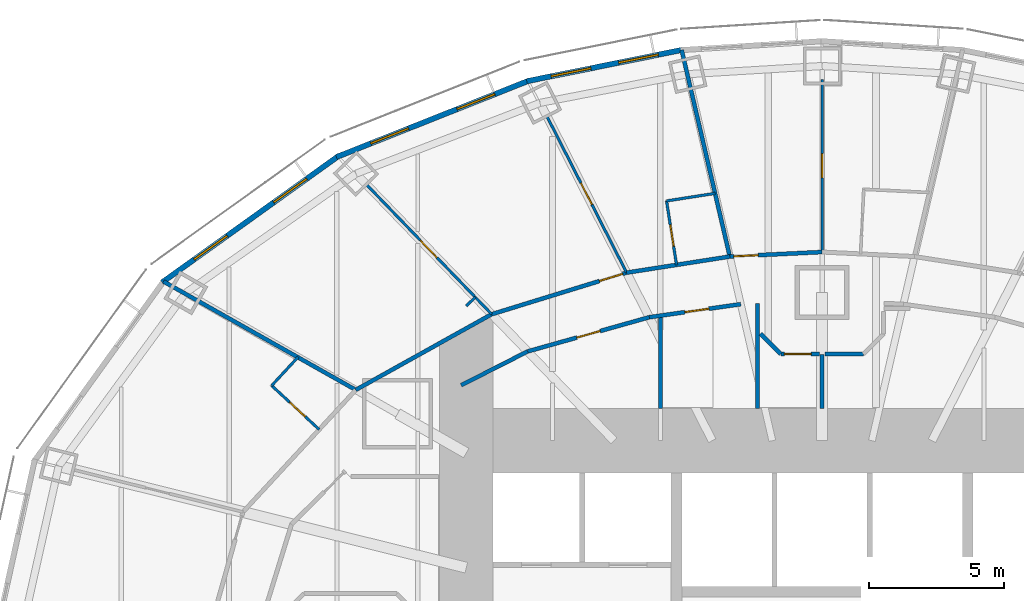
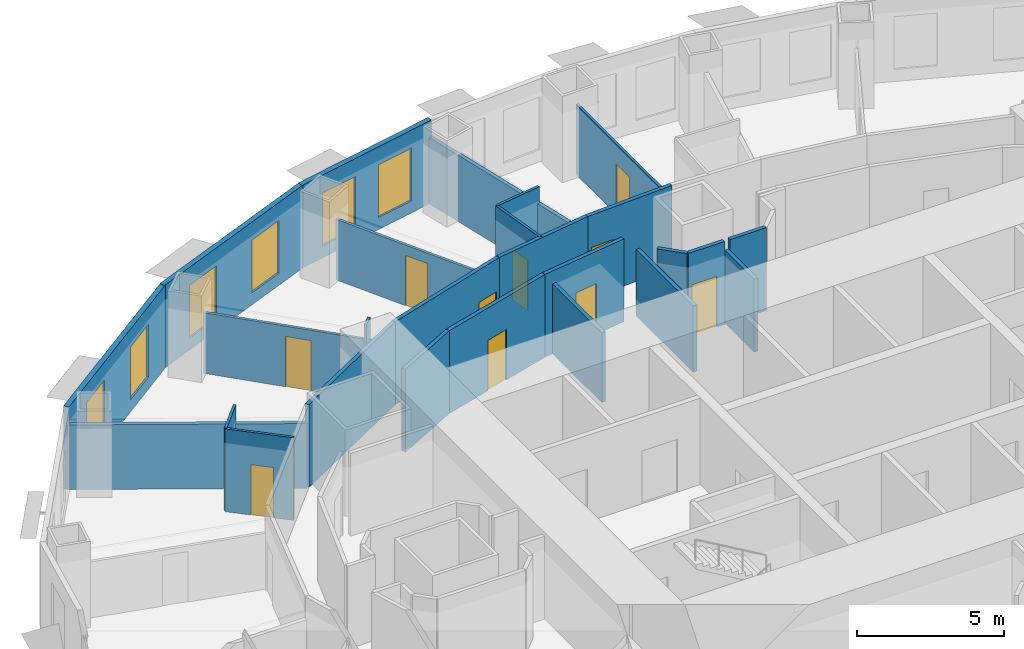
# One storey, part 9 of 15: 26 walls, 10 doors, 6 windows, 16 openings.
"""IFC4 building model written with IfcOpenShell, lengths in metres."""

from ifc_helpers import new_model, si_unit, direction, frame, frame_2d, origin, place, context, subcontext, project, spatial, rectangle, extrude, material, layer, layer_set, type_object, element, fill, save


model = new_model("IFC4")

# Units and contexts
model_context = context("Model", 3, precision=1e-05, world=origin(), true_north=direction((0.0, 1.0)))
body_context = subcontext(model_context, "Body", "Model", "MODEL_VIEW")
ifc_project = project(units=[si_unit("LENGTHUNIT", "METRE"), si_unit("AREAUNIT", "SQUARE_METRE"), si_unit("VOLUMEUNIT", "CUBIC_METRE"), si_unit("PLANEANGLEUNIT", "RADIAN"), si_unit("MASSUNIT", "GRAM", prefix="KILO")], contexts=[model_context])

# Site, building, storey
site_placement = place(None, origin())
site = spatial("IfcSite", under=ifc_project, at=site_placement, CompositionType="ELEMENT")
building_placement = place(site_placement, origin())
building = spatial("IfcBuilding", under=site, at=building_placement, Name="Lantaw Convention Tower", CompositionType="ELEMENT")
storey_placement = place(building_placement, frame((0.0, 0.0, 98.199951171875)))
storey = spatial("IfcBuildingStorey", under=building, at=storey_placement, Name="L23", CompositionType="ELEMENT", Elevation=98.199951171875)

# Walls
ifc_material_1 = material(Name="Gypsum board on steel studs", Category="steel")
ifc_layer_1 = layer(ifc_material_1, 0.14990234375)
ifc_layer_set_1 = layer_set([ifc_layer_1], Name="Back of house wall 150")
wall_type_1 = type_object("IfcWallType", Name="Back of house wall 150", PredefinedType="PARTITIONING", material=ifc_layer_set_1)
wall_1_placement = place(storey_placement, frame((0.0, 9.199951171875, 0.0), z_axis=(0.0, 0.0, 1.0), x_axis=(0.0, 1.0, 0.0)))
element("IfcWall", 1, at=wall_1_placement, inside=storey, type_object=wall_type_1, Name="Back of house wall 150", PredefinedType="PARTITIONING", context=body_context, shape_type="SweptSolid", body=[
    extrude(rectangle(XDim=2.005126953125, YDim=0.14990234375, at=frame_2d((1.00244140625, 0.0))), origin(), (0.0, 0.0, 1.0), 3.043701171875),
])
wall_2_placement = place(storey_placement, frame((1.5322265625, 11.215087890625, 0.0), z_axis=(0.0, 0.0, 1.0), x_axis=(-1.0, 0.0, 0.0)))
element("IfcWall", 2, at=wall_2_placement, inside=storey, type_object=wall_type_1, Name="Back of house wall 150", PredefinedType="PARTITIONING", context=body_context, shape_type="SweptSolid", body=[
    extrude(rectangle(XDim=1.428955078125, YDim=0.14990234375, at=frame_2d((0.71435546875, 0.0))), origin(), (0.0, 0.0, 1.0), 3.449951171875),
])
wall_3_placement = place(storey_placement, frame((-1.5322265625, 11.215087890625, 0.0), z_axis=(0.0, 0.0, 1.0), x_axis=(-0.707106781187, 0.707106781187, 0.0)))
element("IfcWall", 3, at=wall_3_placement, inside=storey, type_object=wall_type_1, Name="Back of house wall 150", PredefinedType="PARTITIONING", context=body_context, shape_type="SweptSolid", body=[
    extrude(rectangle(XDim=1.064453125, YDim=0.14990234375, at=frame_2d((0.5322265625, 0.0))), origin(), (0.0, 0.0, 1.0), 3.449951171875),
])

# Wall, opening, door
ifc_material_2 = material(Name="Moisture resistant gypsum board on steel studs", Category="steel")
ifc_layer_2 = layer(ifc_material_2, 0.10009765625)
ifc_layer_set_2 = layer_set([ifc_layer_2], Name="Bathroom wall 100")
wall_type_2 = type_object("IfcWallType", Name="Bathroom wall 100", PredefinedType="PARTITIONING", material=ifc_layer_set_2)
wall_4_placement = place(storey_placement, frame((-5.400390625, 14.524169921875, 0.0), z_axis=(0.0, 0.0, 1.0), x_axis=(-0.154426532979, 0.988004274238, 0.0)))
wall_4 = element("IfcWall", 4, at=wall_4_placement, inside=storey, type_object=wall_type_2, Name="Bathroom wall 100", PredefinedType="PARTITIONING", context=body_context, shape_type="SweptSolid", body=[
    extrude(rectangle(XDim=2.39990234375, YDim=0.10009765625, at=frame_2d((1.199951171875, 0.0))), origin(), (0.0, 0.0, 1.0), 3.449951171875),
])
opening_1_placement = place(wall_4_placement, frame((0.699951171875, 0.0, 0.0)))
opening_1 = element("IfcOpeningElement", 5, at=opening_1_placement, cuts=wall_4, Name="Opening L23.36", PredefinedType="OPENING", context=body_context, shape_type="SweptSolid", body=[
    extrude(rectangle(XDim=0.800048828125, YDim=2.10009765625, at=frame_2d((0.39990234375, 1.050048828125))), frame((0.0, 0.06005859375, 0.0), z_axis=(0.0, -1.0, 0.0), x_axis=(1.0, 0.0, 0.0)), (0.0, 0.0, 1.0), 0.1201171875),
])
ifc_material_3 = material(Name="Timber", Category="wood")
door_type_1 = type_object("IfcDoorType", Name="Bathroom door 800", OperationType="SINGLE_SWING_LEFT", PredefinedType="DOOR", material=ifc_material_3)
door_1_placement = place(opening_1_placement, origin())
door_1 = element("IfcDoor", 6, at=door_1_placement, inside=storey, type_object=door_type_1, Name="Bathroom door", OperationType="SINGLE_SWING_LEFT", OverallHeight=2.10009765625, OverallWidth=0.800048828125, PredefinedType="DOOR", context=body_context, shape_type="SweptSolid", body=[
    extrude(rectangle(XDim=0.800048828125, YDim=2.10009765625, at=frame_2d((0.39990234375, 1.050048828125))), frame((0.0, 0.02490234375, 0.0), z_axis=(0.0, -1.0, 0.0), x_axis=(1.0, 0.0, 0.0)), (0.0, 0.0, 1.0), 0.050048828125),
])
fill(opening_1, door_1)

# Wall
wall_5_placement = place(storey_placement, frame((-5.77099609375, 16.895263671875, 0.0), z_axis=(0.0, 0.0, 1.0), x_axis=(0.98801840204, 0.154336117711, 0.0)))
element("IfcWall", 7, at=wall_5_placement, inside=storey, type_object=wall_type_2, Name="Bathroom wall 100", PredefinedType="PARTITIONING", context=body_context, shape_type="SweptSolid", body=[
    extrude(rectangle(XDim=1.8271484375, YDim=0.10009765625, at=frame_2d((0.91357421875, 0.0))), origin(), (0.0, 0.0, 1.0), 3.449951171875),
])

# Wall, opening, door
wall_6_placement = place(storey_placement, frame((-18.65625, 8.416259765625, 0.0), z_axis=(0.0, 0.0, 1.0), x_axis=(-0.73447964986, 0.678630712495, 0.0)))
wall_6 = element("IfcWall", 8, at=wall_6_placement, inside=storey, type_object=wall_type_2, Name="Bathroom wall 100", PredefinedType="PARTITIONING", context=body_context, shape_type="SweptSolid", body=[
    extrude(rectangle(XDim=2.39990234375, YDim=0.10009765625, at=frame_2d((1.199951171875, 0.0))), origin(), (0.0, 0.0, 1.0), 3.449951171875),
])
opening_2_placement = place(wall_6_placement, frame((0.699951171875, 0.0, 0.0)))
opening_2 = element("IfcOpeningElement", 9, at=opening_2_placement, cuts=wall_6, Name="Opening L23.40", PredefinedType="OPENING", context=body_context, shape_type="SweptSolid", body=[
    extrude(rectangle(XDim=0.800048828125, YDim=2.10009765625, at=frame_2d((0.39990234375, 1.050048828125))), frame((0.0, 0.06005859375, 0.0), z_axis=(0.0, -1.0, 0.0), x_axis=(1.0, 0.0, 0.0)), (0.0, 0.0, 1.0), 0.1201171875),
])
door_2_placement = place(opening_2_placement, origin())
door_2 = element("IfcDoor", 10, at=door_2_placement, inside=storey, type_object=door_type_1, Name="Bathroom door", OperationType="SINGLE_SWING_LEFT", OverallHeight=2.10009765625, OverallWidth=0.800048828125, PredefinedType="DOOR", context=body_context, shape_type="SweptSolid", body=[
    extrude(rectangle(XDim=0.800048828125, YDim=2.10009765625, at=frame_2d((0.39990234375, 1.050048828125))), frame((0.0, 0.02490234375, 0.0), z_axis=(0.0, -1.0, 0.0), x_axis=(1.0, 0.0, 0.0)), (0.0, 0.0, 1.0), 0.050048828125),
])
fill(opening_2, door_2)

# Wall
wall_7_placement = place(storey_placement, frame((-20.4189453125, 10.044921875, 0.0), z_axis=(0.0, 0.0, 1.0), x_axis=(0.67861657312, 0.734492713842, 0.0)))
element("IfcWall", 11, at=wall_7_placement, inside=storey, type_object=wall_type_2, Name="Bathroom wall 100", PredefinedType="PARTITIONING", context=body_context, shape_type="SweptSolid", body=[
    extrude(rectangle(XDim=1.4462890625, YDim=0.10009765625, at=frame_2d((0.72314453125, 0.0))), origin(), (0.0, 0.0, 1.0), 3.449951171875),
])

# Wall, opening, door
ifc_material_4 = material(Name="Gypsum board on steel studs, fire rated", Category="steel")
ifc_layer_3 = layer(ifc_material_4, 0.14990234375)
ifc_layer_set_3 = layer_set([ifc_layer_3], Name="Corridor wall 150 EI 60")
wall_type_3 = type_object("IfcWallType", Name="Corridor wall 150 EI 60", PredefinedType="PARTITIONING", material=ifc_layer_set_3)
wall_8_placement = place(storey_placement, frame((0.0, 15.0, 0.0), z_axis=(0.0, 0.0, 1.0), x_axis=(-0.998809560203, -0.048779733975, 0.0)))
wall_8 = element("IfcWall", 12, at=wall_8_placement, inside=storey, type_object=wall_type_3, Name="Corridor wall 150", PredefinedType="PARTITIONING", context=body_context, shape_type="SweptSolid", body=[
    extrude(rectangle(XDim=3.428466796875, YDim=0.14990234375, at=frame_2d((1.71435546875, 0.0))), origin(), (0.0, 0.0, 1.0), 3.449951171875),
])
opening_3_placement = place(wall_8_placement, frame((2.37841796875, 0.0, 0.0)))
opening_3 = element("IfcOpeningElement", 13, at=opening_3_placement, cuts=wall_8, Name="Opening L23.35", PredefinedType="OPENING", context=body_context, shape_type="SweptSolid", body=[
    extrude(rectangle(XDim=0.89990234375, YDim=2.10009765625, at=frame_2d((0.449951171875, 1.050048828125))), frame((0.0, 0.0849609375, 0.0), z_axis=(0.0, -1.0, 0.0), x_axis=(1.0, 0.0, 0.0)), (0.0, 0.0, 1.0), 0.169921875),
])
ifc_material_5 = material(Name="Steel, fire rated", Category="steel")
door_type_2 = type_object("IfcDoorType", Name="Guest room entrance door FD30S", OperationType="SINGLE_SWING_LEFT", PredefinedType="DOOR", material=ifc_material_5)
door_3_placement = place(opening_3_placement, origin())
door_3 = element("IfcDoor", 14, at=door_3_placement, inside=storey, type_object=door_type_2, Name="Suite entrance door", OperationType="SINGLE_SWING_LEFT", OverallHeight=2.10009765625, OverallWidth=0.89990234375, PredefinedType="DOOR", context=body_context, shape_type="SweptSolid", body=[
    extrude(rectangle(XDim=0.89990234375, YDim=2.10009765625, at=frame_2d((0.449951171875, 1.050048828125))), frame((0.0, 0.02490234375, 0.0), z_axis=(0.0, -1.0, 0.0), x_axis=(1.0, 0.0, 0.0)), (0.0, 0.0, 1.0), 0.050048828125),
])
fill(opening_3, door_3)

# Wall
wall_9_placement = place(storey_placement, frame((-3.42431640625, 14.832763671875, 0.0), z_axis=(0.0, 0.0, 1.0), x_axis=(-0.988015036573, -0.154357660987, 0.0)))
element("IfcWall", 15, at=wall_9_placement, inside=storey, type_object=wall_type_3, Name="Corridor wall 150", PredefinedType="PARTITIONING", context=body_context, shape_type="SweptSolid", body=[
    extrude(rectangle(XDim=3.875, YDim=0.14990234375, at=frame_2d((1.9375, 0.0))), origin(), (0.0, 0.0, 1.0), 3.449951171875),
])

# Wall, opening, door
wall_10_placement = place(storey_placement, frame((-7.2529296875, 14.234619140625, 0.0), z_axis=(0.0, 0.0, 1.0), x_axis=(-0.955657956744, -0.294478980085, 0.0)))
wall_10 = element("IfcWall", 16, at=wall_10_placement, inside=storey, type_object=wall_type_3, Name="Corridor wall 150", PredefinedType="PARTITIONING", context=body_context, shape_type="SweptSolid", body=[
    extrude(rectangle(XDim=5.236328125, YDim=0.14990234375, at=frame_2d((2.6181640625, 0.0))), origin(), (0.0, 0.0, 1.0), 3.449951171875),
])
opening_4_placement = place(wall_10_placement, frame((0.14990234375, 0.0, 0.0)))
opening_4 = element("IfcOpeningElement", 17, at=opening_4_placement, cuts=wall_10, Name="Opening L23.39", PredefinedType="OPENING", context=body_context, shape_type="SweptSolid", body=[
    extrude(rectangle(XDim=0.89990234375, YDim=2.10009765625, at=frame_2d((0.449951171875, 1.050048828125))), frame((0.0, 0.0849609375, 0.0), z_axis=(0.0, -1.0, 0.0), x_axis=(1.0, 0.0, 0.0)), (0.0, 0.0, 1.0), 0.169921875),
])
door_4_placement = place(opening_4_placement, origin())
door_4 = element("IfcDoor", 18, at=door_4_placement, inside=storey, type_object=door_type_2, Name="Suite entrance door", OperationType="SINGLE_SWING_LEFT", OverallHeight=2.10009765625, OverallWidth=0.89990234375, PredefinedType="DOOR", context=body_context, shape_type="SweptSolid", body=[
    extrude(rectangle(XDim=0.89990234375, YDim=2.10009765625, at=frame_2d((0.449951171875, 1.050048828125))), frame((0.0, 0.02490234375, 0.0), z_axis=(0.0, -1.0, 0.0), x_axis=(1.0, 0.0, 0.0)), (0.0, 0.0, 1.0), 0.050048828125),
])
fill(opening_4, door_4)

# Wall
wall_11_placement = place(storey_placement, frame((-12.257080078125, 12.692626953125, 0.0), z_axis=(0.0, 0.0, 1.0), x_axis=(-0.873695910579, -0.486472461541, 0.0)))
element("IfcWall", 19, at=wall_11_placement, inside=storey, type_object=wall_type_3, Name="Corridor wall 150", PredefinedType="PARTITIONING", context=body_context, shape_type="SweptSolid", body=[
    extrude(rectangle(XDim=5.77099609375, YDim=0.14990234375, at=frame_2d((2.885498046875, 0.0))), origin(), (0.0, 0.0, 1.0), 3.449951171875),
])

# Wall, opening, door
wall_12_placement = place(storey_placement, frame((-3.016357421875, 13.065673828125, 0.0), z_axis=(0.0, 0.0, 1.0), x_axis=(-0.990002114939, -0.14105251652, 0.0)))
wall_12 = element("IfcWall", 20, at=wall_12_placement, inside=storey, type_object=wall_type_3, Name="Corridor wall 150", PredefinedType="PARTITIONING", context=body_context, shape_type="SweptSolid", body=[
    extrude(rectangle(XDim=3.4287109375, YDim=0.14990234375, at=frame_2d((1.71435546875, 0.0))), origin(), (0.0, 0.0, 1.0), 3.449951171875),
])
opening_5_placement = place(wall_12_placement, frame((1.194580078125, 0.0, 0.0)))
opening_5 = element("IfcOpeningElement", 21, at=opening_5_placement, cuts=wall_12, Name="Opening L23.19", PredefinedType="OPENING", context=body_context, shape_type="SweptSolid", body=[
    extrude(rectangle(XDim=0.89990234375, YDim=2.10009765625, at=frame_2d((0.449951171875, 1.050048828125))), frame((0.0, 0.0849609375, 0.0), z_axis=(0.0, -1.0, 0.0), x_axis=(1.0, 0.0, 0.0)), (0.0, 0.0, 1.0), 0.169921875),
])
door_type_3 = type_object("IfcDoorType", Name="Service door 900 FD30", OperationType="SINGLE_SWING_LEFT", PredefinedType="DOOR", material=ifc_material_5)
door_5_placement = place(opening_5_placement, origin())
door_5 = element("IfcDoor", 22, at=door_5_placement, inside=storey, type_object=door_type_3, Name="Housekeeping pantry door", OperationType="SINGLE_SWING_LEFT", OverallHeight=2.10009765625, OverallWidth=0.89990234375, PredefinedType="DOOR", context=body_context, shape_type="SweptSolid", body=[
    extrude(rectangle(XDim=0.89990234375, YDim=2.10009765625, at=frame_2d((0.449951171875, 1.050048828125))), frame((0.0, 0.02490234375, 0.0), z_axis=(0.0, -1.0, 0.0), x_axis=(1.0, 0.0, 0.0)), (0.0, 0.0, 1.0), 0.050048828125),
])
fill(opening_5, door_5)

wall_13_placement = place(storey_placement, frame((-6.410888671875, 12.58203125, 0.0), z_axis=(0.0, 0.0, 1.0), x_axis=(-0.962643729928, -0.270771211967, 0.0)))
wall_13 = element("IfcWall", 23, at=wall_13_placement, inside=storey, type_object=wall_type_3, Name="Corridor wall 150", PredefinedType="PARTITIONING", context=body_context, shape_type="SweptSolid", body=[
    extrude(rectangle(XDim=4.6884765625, YDim=0.14990234375, at=frame_2d((2.34423828125, 0.0))), origin(), (0.0, 0.0, 1.0), 3.449951171875),
])
opening_6_placement = place(wall_13_placement, frame((1.894287109375, 0.0, 0.0)))
opening_6 = element("IfcOpeningElement", 24, at=opening_6_placement, cuts=wall_13, Name="Opening L23.20", PredefinedType="OPENING", context=body_context, shape_type="SweptSolid", body=[
    extrude(rectangle(XDim=0.89990234375, YDim=2.10009765625, at=frame_2d((0.449951171875, 1.050048828125))), frame((0.0, 0.0849609375, 0.0), z_axis=(0.0, -1.0, 0.0), x_axis=(1.0, 0.0, 0.0)), (0.0, 0.0, 1.0), 0.169921875),
])
door_6_placement = place(opening_6_placement, origin())
door_6 = element("IfcDoor", 25, at=door_6_placement, inside=storey, type_object=door_type_3, Name="Housekeeping store door", OperationType="SINGLE_SWING_LEFT", OverallHeight=2.10009765625, OverallWidth=0.89990234375, PredefinedType="DOOR", context=body_context, shape_type="SweptSolid", body=[
    extrude(rectangle(XDim=0.89990234375, YDim=2.10009765625, at=frame_2d((0.449951171875, 1.050048828125))), frame((0.0, 0.02490234375, 0.0), z_axis=(0.0, -1.0, 0.0), x_axis=(1.0, 0.0, 0.0)), (0.0, 0.0, 1.0), 0.050048828125),
])
fill(opening_6, door_6)

# Wall
wall_14_placement = place(storey_placement, frame((-10.92431640625, 11.3125, 0.0), z_axis=(0.0, 0.0, 1.0), x_axis=(-0.891388152271, -0.453240732935, 0.0)))
element("IfcWall", 26, at=wall_14_placement, inside=storey, type_object=wall_type_3, Name="Corridor wall 150", PredefinedType="PARTITIONING", context=body_context, shape_type="SweptSolid", body=[
    extrude(rectangle(XDim=2.76611328125, YDim=0.14990234375, at=frame_2d((1.383056640625, 0.0))), origin(), (0.0, 0.0, 1.0), 3.449951171875),
])

# Wall, opening, door
wall_15_placement = place(storey_placement, frame((-0.103271484375, 11.215087890625, 0.0), z_axis=(0.0, 0.0, 1.0), x_axis=(-1.0, 0.0, 0.0)))
wall_15 = element("IfcWall", 27, at=wall_15_placement, inside=storey, type_object=wall_type_3, Name="Corridor wall 150", PredefinedType="PARTITIONING", context=body_context, shape_type="SweptSolid", body=[
    extrude(rectangle(XDim=1.428955078125, YDim=0.14990234375, at=frame_2d((0.71435546875, 0.0))), origin(), (0.0, 0.0, 1.0), 3.449951171875),
])
opening_7_placement = place(wall_15_placement, frame((0.300048828125, 0.0, 0.0)))
opening_7 = element("IfcOpeningElement", 28, at=opening_7_placement, cuts=wall_15, Name="Opening L23.18", PredefinedType="OPENING", context=body_context, shape_type="SweptSolid", body=[
    extrude(rectangle(XDim=1.0, YDim=2.10009765625, at=frame_2d((0.5, 1.050048828125))), frame((0.0, 0.0849609375, 0.0), z_axis=(0.0, -1.0, 0.0), x_axis=(1.0, 0.0, 0.0)), (0.0, 0.0, 1.0), 0.169921875),
])
door_type_4 = type_object("IfcDoorType", Name="Accessible WC door 1000 FD30", OperationType="SINGLE_SWING_LEFT", PredefinedType="DOOR", material=ifc_material_5)
door_7_placement = place(opening_7_placement, origin())
door_7 = element("IfcDoor", 29, at=door_7_placement, inside=storey, type_object=door_type_4, Name="Accessible WC door", OperationType="SINGLE_SWING_LEFT", OverallHeight=2.10009765625, OverallWidth=1.0, PredefinedType="DOOR", context=body_context, shape_type="SweptSolid", body=[
    extrude(rectangle(XDim=1.0, YDim=2.10009765625, at=frame_2d((0.5, 1.050048828125))), frame((0.0, 0.02490234375, 0.0), z_axis=(0.0, -1.0, 0.0), x_axis=(1.0, 0.0, 0.0)), (0.0, 0.0, 1.0), 0.050048828125),
])
fill(opening_7, door_7)

# Wall, openings, windows
ifc_material_6 = material(Name="Insulated aluminium panel on steel frame", Category="steel")
ifc_layer_4 = layer(ifc_material_6, 0.199951171875)
ifc_layer_set_4 = layer_set([ifc_layer_4], Name="External wall 200")
wall_type_4 = type_object("IfcWallType", Name="External wall 200", PredefinedType="SOLIDWALL", material=ifc_layer_set_4)
wall_16_placement = place(storey_placement, frame((-5.169677734375, 22.504150390625, 0.0), z_axis=(0.0, 0.0, 1.0), x_axis=(-0.980251657452, -0.197754110105, 0.0)))
wall_16 = element("IfcWall", 30, at=wall_16_placement, inside=storey, type_object=wall_type_4, Name="Facade panel wall", PredefinedType="SOLIDWALL", context=body_context, shape_type="SweptSolid", body=[
    extrude(rectangle(XDim=5.90380859375, YDim=0.199951171875, at=frame_2d((2.951904296875, 0.0))), origin(), (0.0, 0.0, 1.0), 3.449951171875),
])
opening_8_placement = place(wall_16_placement, frame((0.92578125, 0.0, 0.5)))
opening_8 = element("IfcOpeningElement", 31, at=opening_8_placement, cuts=wall_16, Name="Opening W2", PredefinedType="OPENING", context=body_context, shape_type="SweptSolid", body=[
    extrude(rectangle(XDim=1.5, YDim=2.199951171875, at=frame_2d((0.75, 1.10009765625))), frame((0.0, 0.10986328125, 0.0), z_axis=(0.0, -1.0, 0.0), x_axis=(1.0, 0.0, 0.0)), (0.0, 0.0, 1.0), 0.219970703125),
])
opening_9_placement = place(wall_16_placement, frame((3.477783203125, 0.0, 0.5)))
opening_9 = element("IfcOpeningElement", 32, at=opening_9_placement, cuts=wall_16, Name="Opening W2", PredefinedType="OPENING", context=body_context, shape_type="SweptSolid", body=[
    extrude(rectangle(XDim=1.5, YDim=2.199951171875, at=frame_2d((0.75, 1.10009765625))), frame((0.0, 0.10986328125, 0.0), z_axis=(0.0, -1.0, 0.0), x_axis=(1.0, 0.0, 0.0)), (0.0, 0.0, 1.0), 0.219970703125),
])
ifc_material_7 = material(Name="Aluminium frame, clear insulating glass", Category="aluminium")
window_type = type_object("IfcWindowType", Name="Suite window 1500x2200", PartitioningType="SINGLE_PANEL", PredefinedType="WINDOW", material=ifc_material_7)
window_1_placement = place(opening_8_placement, origin())
window_1 = element("IfcWindow", 33, at=window_1_placement, inside=storey, type_object=window_type, Name="Guest room window", OverallHeight=2.199951171875, OverallWidth=1.5, PartitioningType="SINGLE_PANEL", PredefinedType="WINDOW", context=body_context, shape_type="SweptSolid", body=[
    extrude(rectangle(XDim=1.5, YDim=2.199951171875, at=frame_2d((0.75, 1.10009765625))), frame((0.0, 0.030029296875, 0.0), z_axis=(0.0, -1.0, 0.0), x_axis=(1.0, 0.0, 0.0)), (0.0, 0.0, 1.0), 0.06005859375),
])
fill(opening_8, window_1)
window_2_placement = place(opening_9_placement, origin())
window_2 = element("IfcWindow", 34, at=window_2_placement, inside=storey, type_object=window_type, Name="Guest room window", OverallHeight=2.199951171875, OverallWidth=1.5, PartitioningType="SINGLE_PANEL", PredefinedType="WINDOW", context=body_context, shape_type="SweptSolid", body=[
    extrude(rectangle(XDim=1.5, YDim=2.199951171875, at=frame_2d((0.75, 1.10009765625))), frame((0.0, 0.030029296875, 0.0), z_axis=(0.0, -1.0, 0.0), x_axis=(1.0, 0.0, 0.0)), (0.0, 0.0, 1.0), 0.06005859375),
])
fill(opening_9, window_2)

wall_17_placement = place(storey_placement, frame((-10.869384765625, 21.362548828125, 0.0), z_axis=(0.0, 0.0, 1.0), x_axis=(-0.929358351251, -0.369178892895, 0.0)))
wall_17 = element("IfcWall", 35, at=wall_17_placement, inside=storey, type_object=wall_type_4, Name="Facade panel wall", PredefinedType="SOLIDWALL", context=body_context, shape_type="SweptSolid", body=[
    extrude(rectangle(XDim=7.6923828125, YDim=0.199951171875, at=frame_2d((3.84619140625, 0.0))), origin(), (0.0, 0.0, 1.0), 3.449951171875),
])
opening_10_placement = place(wall_17_placement, frame((1.373046875, 0.0, 0.5)))
opening_10 = element("IfcOpeningElement", 36, at=opening_10_placement, cuts=wall_17, Name="Opening W2", PredefinedType="OPENING", context=body_context, shape_type="SweptSolid", body=[
    extrude(rectangle(XDim=1.5, YDim=2.199951171875, at=frame_2d((0.75, 1.10009765625))), frame((0.0, 0.10986328125, 0.0), z_axis=(0.0, -1.0, 0.0), x_axis=(1.0, 0.0, 0.0)), (0.0, 0.0, 1.0), 0.219970703125),
])
opening_11_placement = place(wall_17_placement, frame((4.819091796875, 0.0, 0.5)))
opening_11 = element("IfcOpeningElement", 37, at=opening_11_placement, cuts=wall_17, Name="Opening W2", PredefinedType="OPENING", context=body_context, shape_type="SweptSolid", body=[
    extrude(rectangle(XDim=1.5, YDim=2.199951171875, at=frame_2d((0.75, 1.10009765625))), frame((0.0, 0.10986328125, 0.0), z_axis=(0.0, -1.0, 0.0), x_axis=(1.0, 0.0, 0.0)), (0.0, 0.0, 1.0), 0.219970703125),
])
window_3_placement = place(opening_10_placement, origin())
window_3 = element("IfcWindow", 38, at=window_3_placement, inside=storey, type_object=window_type, Name="Guest room window", OverallHeight=2.199951171875, OverallWidth=1.5, PartitioningType="SINGLE_PANEL", PredefinedType="WINDOW", context=body_context, shape_type="SweptSolid", body=[
    extrude(rectangle(XDim=1.5, YDim=2.199951171875, at=frame_2d((0.75, 1.10009765625))), frame((0.0, 0.030029296875, 0.0), z_axis=(0.0, -1.0, 0.0), x_axis=(1.0, 0.0, 0.0)), (0.0, 0.0, 1.0), 0.06005859375),
])
fill(opening_10, window_3)
window_4_placement = place(opening_11_placement, origin())
window_4 = element("IfcWindow", 39, at=window_4_placement, inside=storey, type_object=window_type, Name="Guest room window", OverallHeight=2.199951171875, OverallWidth=1.5, PartitioningType="SINGLE_PANEL", PredefinedType="WINDOW", context=body_context, shape_type="SweptSolid", body=[
    extrude(rectangle(XDim=1.5, YDim=2.199951171875, at=frame_2d((0.75, 1.10009765625))), frame((0.0, 0.030029296875, 0.0), z_axis=(0.0, -1.0, 0.0), x_axis=(1.0, 0.0, 0.0)), (0.0, 0.0, 1.0), 0.06005859375),
])
fill(opening_11, window_4)

wall_18_placement = place(storey_placement, frame((-17.9287109375, 18.57177734375, 0.0), z_axis=(0.0, 0.0, 1.0), x_axis=(-0.812791321576, -0.582554948112, 0.0)))
wall_18 = element("IfcWall", 40, at=wall_18_placement, inside=storey, type_object=wall_type_4, Name="Facade panel wall", PredefinedType="SOLIDWALL", context=body_context, shape_type="SweptSolid", body=[
    extrude(rectangle(XDim=8.063232421875, YDim=0.199951171875, at=frame_2d((4.03173828125, 0.0))), origin(), (0.0, 0.0, 1.0), 3.449951171875),
])
opening_12_placement = place(wall_18_placement, frame((1.4658203125, 0.0, 0.5)))
opening_12 = element("IfcOpeningElement", 41, at=opening_12_placement, cuts=wall_18, Name="Opening W2", PredefinedType="OPENING", context=body_context, shape_type="SweptSolid", body=[
    extrude(rectangle(XDim=1.5, YDim=2.199951171875, at=frame_2d((0.75, 1.10009765625))), frame((0.0, 0.10986328125, 0.0), z_axis=(0.0, -1.0, 0.0), x_axis=(1.0, 0.0, 0.0)), (0.0, 0.0, 1.0), 0.219970703125),
])
opening_13_placement = place(wall_18_placement, frame((5.097412109375, 0.0, 0.5)))
opening_13 = element("IfcOpeningElement", 42, at=opening_13_placement, cuts=wall_18, Name="Opening W2", PredefinedType="OPENING", context=body_context, shape_type="SweptSolid", body=[
    extrude(rectangle(XDim=1.5, YDim=2.199951171875, at=frame_2d((0.75, 1.10009765625))), frame((0.0, 0.10986328125, 0.0), z_axis=(0.0, -1.0, 0.0), x_axis=(1.0, 0.0, 0.0)), (0.0, 0.0, 1.0), 0.219970703125),
])
window_5_placement = place(opening_12_placement, origin())
window_5 = element("IfcWindow", 43, at=window_5_placement, inside=storey, type_object=window_type, Name="Guest room window", OverallHeight=2.199951171875, OverallWidth=1.5, PartitioningType="SINGLE_PANEL", PredefinedType="WINDOW", context=body_context, shape_type="SweptSolid", body=[
    extrude(rectangle(XDim=1.5, YDim=2.199951171875, at=frame_2d((0.75, 1.10009765625))), frame((0.0, 0.030029296875, 0.0), z_axis=(0.0, -1.0, 0.0), x_axis=(1.0, 0.0, 0.0)), (0.0, 0.0, 1.0), 0.06005859375),
])
fill(opening_12, window_5)
window_6_placement = place(opening_13_placement, origin())
window_6 = element("IfcWindow", 44, at=window_6_placement, inside=storey, type_object=window_type, Name="Guest room window", OverallHeight=2.199951171875, OverallWidth=1.5, PartitioningType="SINGLE_PANEL", PredefinedType="WINDOW", context=body_context, shape_type="SweptSolid", body=[
    extrude(rectangle(XDim=1.5, YDim=2.199951171875, at=frame_2d((0.75, 1.10009765625))), frame((0.0, 0.030029296875, 0.0), z_axis=(0.0, -1.0, 0.0), x_axis=(1.0, 0.0, 0.0)), (0.0, 0.0, 1.0), 0.06005859375),
])
fill(opening_13, window_6)

# Walls
ifc_material_8 = material(Name="Gypsum board on steel studs, acoustic", Category="steel")
ifc_layer_5 = layer(ifc_material_8, 0.14990234375)
ifc_layer_set_5 = layer_set([ifc_layer_5], Name="Guest room party wall 150")
wall_type_5 = type_object("IfcWallType", Name="Guest room party wall 150", PredefinedType="PARTITIONING", material=ifc_layer_set_5)
wall_19_placement = place(storey_placement, frame((-5.2109375, 22.495849609375, 0.0), z_axis=(0.0, 0.0, 1.0), x_axis=(0.227056984461, -0.973881474209, 0.0)))
element("IfcWall", 45, at=wall_19_placement, inside=storey, type_object=wall_type_5, Name="Guest room party wall 150", PredefinedType="PARTITIONING", context=body_context, shape_type="SweptSolid", body=[
    extrude(rectangle(XDim=7.86865234375, YDim=0.14990234375, at=frame_2d((3.934326171875, 0.0))), origin(), (0.0, 0.0, 1.0), 2.766845703125),
])
wall_20_placement = place(storey_placement, frame((-24.434814453125, 13.90869140625, 0.0), z_axis=(0.0, 0.0, 1.0), x_axis=(0.871075246657, -0.491149584813, 0.0)))
element("IfcWall", 46, at=wall_20_placement, inside=storey, type_object=wall_type_5, Name="Guest room party wall 150", PredefinedType="PARTITIONING", context=body_context, shape_type="SweptSolid", body=[
    extrude(rectangle(XDim=8.19189453125, YDim=0.14990234375, at=frame_2d((4.095947265625, 0.0))), origin(), (0.0, 0.0, 1.0), 2.693115234375),
])
ifc_layer_6 = layer(ifc_material_8, 0.10009765625)
ifc_layer_set_6 = layer_set([ifc_layer_6], Name="Office partition 100")
wall_type_6 = type_object("IfcWallType", Name="Office partition 100", PredefinedType="PARTITIONING", material=ifc_layer_set_6)
wall_21_placement = place(storey_placement, frame((-13.199951171875, 13.0, 0.0), z_axis=(0.0, 0.0, 1.0), x_axis=(0.719347134512, 0.69465077562, 0.0)))
element("IfcWall", 47, at=wall_21_placement, inside=storey, type_object=wall_type_6, Name="Office partition 100", PredefinedType="PARTITIONING", context=body_context, shape_type="SweptSolid", body=[
    extrude(rectangle(XDim=0.464599609375, YDim=0.10009765625, at=frame_2d((0.232421875, 0.0))), origin(), (0.0, 0.0, 1.0), 3.449951171875),
])

# Wall, opening, door
ifc_layer_7 = layer(ifc_material_1, 0.10009765625)
ifc_layer_set_7 = layer_set([ifc_layer_7], Name="Suite partition 100")
wall_type_7 = type_object("IfcWallType", Name="Suite partition 100", PredefinedType="PARTITIONING", material=ifc_layer_set_7)
wall_22_placement = place(storey_placement, frame((0.0, 21.39990234375, 0.0), z_axis=(0.0, 0.0, 1.0), x_axis=(0.0, -1.0, 0.0)))
wall_22 = element("IfcWall", 48, at=wall_22_placement, inside=storey, type_object=wall_type_7, Name="Suite partition 100", PredefinedType="PARTITIONING", context=body_context, shape_type="SweptSolid", body=[
    extrude(rectangle(XDim=6.39990234375, YDim=0.10009765625, at=frame_2d((3.199951171875, 0.0))), origin(), (0.0, 0.0, 1.0), 2.92431640625),
])
opening_14_placement = place(wall_22_placement, frame((2.75, 0.0, 0.0)))
opening_14 = element("IfcOpeningElement", 49, at=opening_14_placement, cuts=wall_22, Name="Opening L23.34", PredefinedType="OPENING", context=body_context, shape_type="SweptSolid", body=[
    extrude(rectangle(XDim=0.89990234375, YDim=2.10009765625, at=frame_2d((0.449951171875, 1.050048828125))), frame((0.0, 0.06005859375, 0.0), z_axis=(0.0, -1.0, 0.0), x_axis=(1.0, 0.0, 0.0)), (0.0, 0.0, 1.0), 0.1201171875),
])
door_type_5 = type_object("IfcDoorType", Name="Suite door 900", OperationType="SINGLE_SWING_LEFT", PredefinedType="DOOR", material=ifc_material_3)
door_8_placement = place(opening_14_placement, origin())
door_8 = element("IfcDoor", 50, at=door_8_placement, inside=storey, type_object=door_type_5, Name="Bedroom door", OperationType="SINGLE_SWING_LEFT", OverallHeight=2.10009765625, OverallWidth=0.89990234375, PredefinedType="DOOR", context=body_context, shape_type="SweptSolid", body=[
    extrude(rectangle(XDim=0.89990234375, YDim=2.10009765625, at=frame_2d((0.449951171875, 1.050048828125))), frame((0.0, 0.02490234375, 0.0), z_axis=(0.0, -1.0, 0.0), x_axis=(1.0, 0.0, 0.0)), (0.0, 0.0, 1.0), 0.050048828125),
])
fill(opening_14, door_8)

wall_23_placement = place(storey_placement, frame((-10.235595703125, 20.08837890625, 0.0), z_axis=(0.0, 0.0, 1.0), x_axis=(0.453993694696, -0.89100489627, 0.0)))
wall_23 = element("IfcWall", 51, at=wall_23_placement, inside=storey, type_object=wall_type_7, Name="Suite partition 100", PredefinedType="PARTITIONING", context=body_context, shape_type="SweptSolid", body=[
    extrude(rectangle(XDim=6.56982421875, YDim=0.10009765625, at=frame_2d((3.284912109375, 0.0))), origin(), (0.0, 0.0, 1.0), 2.528076171875),
])
opening_15_placement = place(wall_23_placement, frame((2.8349609375, 0.0, 0.0)))
opening_15 = element("IfcOpeningElement", 52, at=opening_15_placement, cuts=wall_23, Name="Opening L23.37", PredefinedType="OPENING", context=body_context, shape_type="SweptSolid", body=[
    extrude(rectangle(XDim=0.89990234375, YDim=2.10009765625, at=frame_2d((0.449951171875, 1.050048828125))), frame((0.0, 0.06005859375, 0.0), z_axis=(0.0, -1.0, 0.0), x_axis=(1.0, 0.0, 0.0)), (0.0, 0.0, 1.0), 0.1201171875),
])
door_9_placement = place(opening_15_placement, origin())
door_9 = element("IfcDoor", 53, at=door_9_placement, inside=storey, type_object=door_type_5, Name="Bedroom door", OperationType="SINGLE_SWING_LEFT", OverallHeight=2.10009765625, OverallWidth=0.89990234375, PredefinedType="DOOR", context=body_context, shape_type="SweptSolid", body=[
    extrude(rectangle(XDim=0.89990234375, YDim=2.10009765625, at=frame_2d((0.449951171875, 1.050048828125))), frame((0.0, 0.02490234375, 0.0), z_axis=(0.0, -1.0, 0.0), x_axis=(1.0, 0.0, 0.0)), (0.0, 0.0, 1.0), 0.050048828125),
])
fill(opening_15, door_9)

wall_24_placement = place(storey_placement, frame((-16.943603515625, 17.54541015625, 0.0), z_axis=(0.0, 0.0, 1.0), x_axis=(0.694677175107, -0.719321640426, 0.0)))
wall_24 = element("IfcWall", 54, at=wall_24_placement, inside=storey, type_object=wall_type_7, Name="Suite partition 100", PredefinedType="PARTITIONING", context=body_context, shape_type="SweptSolid", body=[
    extrude(rectangle(XDim=6.746337890625, YDim=0.10009765625, at=frame_2d((3.373046875, 0.0))), origin(), (0.0, 0.0, 1.0), 2.528076171875),
])
opening_16_placement = place(wall_24_placement, frame((2.923095703125, 0.0, 0.0)))
opening_16 = element("IfcOpeningElement", 55, at=opening_16_placement, cuts=wall_24, Name="Opening L23.38", PredefinedType="OPENING", context=body_context, shape_type="SweptSolid", body=[
    extrude(rectangle(XDim=0.89990234375, YDim=2.10009765625, at=frame_2d((0.449951171875, 1.050048828125))), frame((0.0, 0.06005859375, 0.0), z_axis=(0.0, -1.0, 0.0), x_axis=(1.0, 0.0, 0.0)), (0.0, 0.0, 1.0), 0.1201171875),
])
door_10_placement = place(opening_16_placement, origin())
door_10 = element("IfcDoor", 56, at=door_10_placement, inside=storey, type_object=door_type_5, Name="Kitchenette door", OperationType="SINGLE_SWING_LEFT", OverallHeight=2.10009765625, OverallWidth=0.89990234375, PredefinedType="DOOR", context=body_context, shape_type="SweptSolid", body=[
    extrude(rectangle(XDim=0.89990234375, YDim=2.10009765625, at=frame_2d((0.449951171875, 1.050048828125))), frame((0.0, 0.02490234375, 0.0), z_axis=(0.0, -1.0, 0.0), x_axis=(1.0, 0.0, 0.0)), (0.0, 0.0, 1.0), 0.050048828125),
])
fill(opening_16, door_10)

# Walls
ifc_material_9 = material(Name="Concrete blockwork", Category="masonry")
ifc_layer_8 = layer(ifc_material_9, 0.14990234375)
ifc_layer_set_8 = layer_set([ifc_layer_8], Name="WC wall 150")
wall_type_8 = type_object("IfcWallType", Name="WC wall 150", PredefinedType="SOLIDWALL", material=ifc_layer_set_8)
wall_25_placement = place(storey_placement, frame((-2.39990234375, 9.199951171875, 0.0), z_axis=(0.0, 0.0, 1.0), x_axis=(0.0, 1.0, 0.0)))
element("IfcWall", 57, at=wall_25_placement, inside=storey, type_object=wall_type_8, Name="WC wall 150", PredefinedType="SOLIDWALL", context=body_context, shape_type="SweptSolid", body=[
    extrude(rectangle(XDim=3.893310546875, YDim=0.14990234375, at=frame_2d((1.94677734375, 0.0))), origin(), (0.0, 0.0, 1.0), 2.766845703125),
])
wall_26_placement = place(storey_placement, frame((-6.0, 9.199951171875, 0.0), z_axis=(0.0, 0.0, 1.0), x_axis=(0.0, 1.0, 0.0)))
element("IfcWall", 58, at=wall_26_placement, inside=storey, type_object=wall_type_8, Name="WC wall 150", PredefinedType="SOLIDWALL", context=body_context, shape_type="SweptSolid", body=[
    extrude(rectangle(XDim=3.440673828125, YDim=0.14990234375, at=frame_2d((1.72021484375, 0.0))), origin(), (0.0, 0.0, 1.0), 2.9140625),
])

save(model, "model.ifc")
